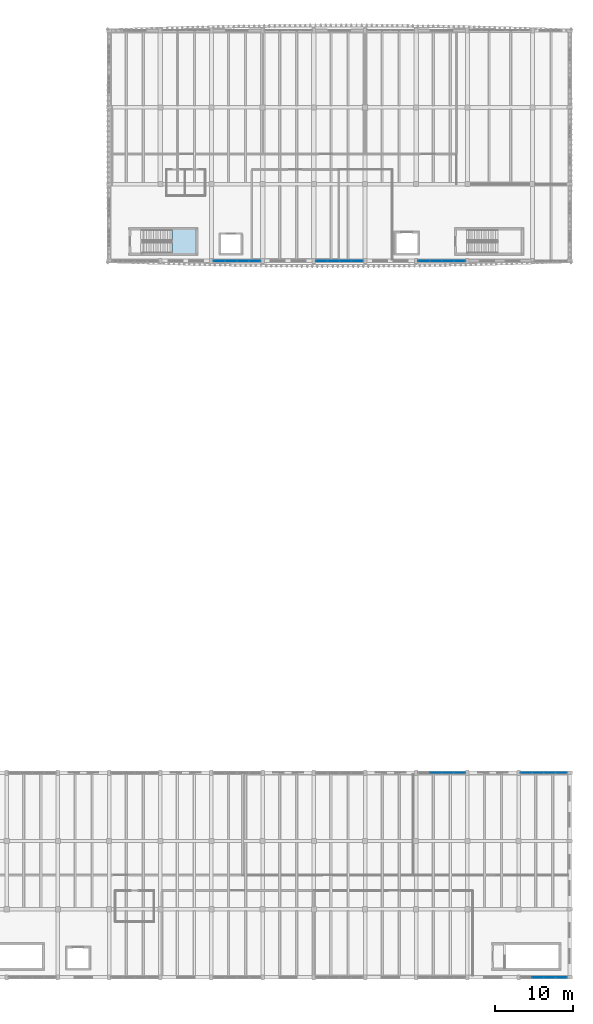
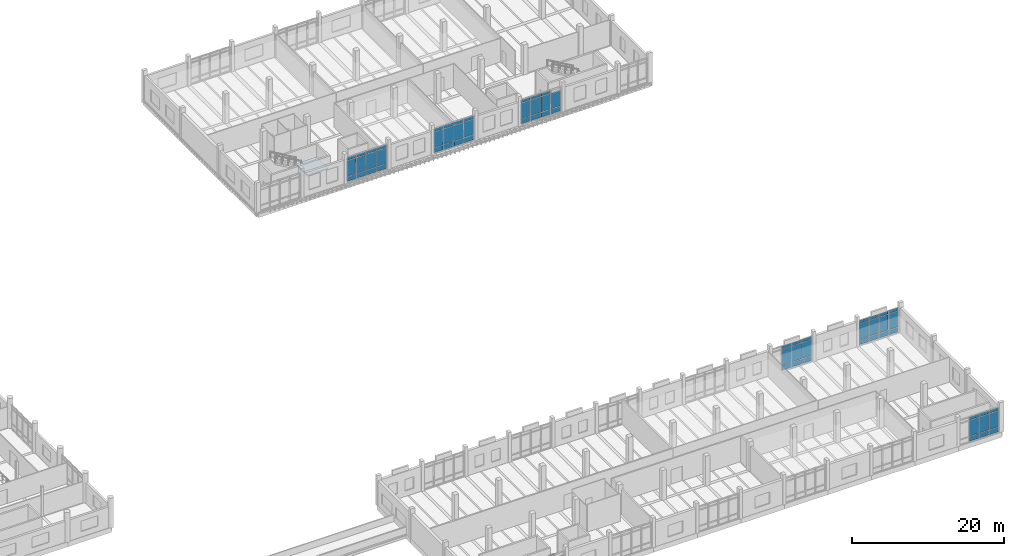
# One storey, part 39 of 76: 65 plates, 1 slab, 7 elements without a shape of their own.
"""IFC4 building model written with IfcOpenShell, lengths in metres."""

import ifcopenshell
import ifcopenshell.guid

model = None  # the IFC model being written
_history = None  # IfcOwnerHistory: only IFC2X3 demands one
_inside = {}  # id of a spatial element -> (the spatial element, [elements in it])
_under = {}  # id of a project, library or spatial element -> (it, [spatial elements below it])
_declared = {}  # id of a project -> (the project, [libraries it declares])
_typed = {}  # id of a type object -> (the type object, [elements of that type])
_made_of = {}  # id of a material, layer set ... -> (it, [elements and type objects made of it])


def new_model(schema):
    """Start an empty IFC model of exactly this schema.

    Asked for "IFC4X3", IfcOpenShell would pick the latest addendum, in which some entities
    have other attributes; the version numbers below select the first issue.
    IFC2X3 requires an IfcOwnerHistory on every rooted entity: one is made here for all.
    """
    global model, _history
    if schema == "IFC4X3":
        model = ifcopenshell.file(schema_version=(4, 3, 0, 0))
    else:
        model = ifcopenshell.file(schema=schema)
    _inside.clear()
    _under.clear()
    _declared.clear()
    _typed.clear()
    _made_of.clear()
    _history = None
    if model.schema == "IFC2X3":
        org = make("IfcOrganization", Name="unknown")
        user = make(
            "IfcPersonAndOrganization",
            ThePerson=make("IfcPerson", FamilyName="unknown"),
            TheOrganization=org,
        )
        app = make(
            "IfcApplication",
            ApplicationDeveloper=org,
            Version="unknown",
            ApplicationFullName="unknown",
            ApplicationIdentifier="unknown",
        )
        _history = make(
            "IfcOwnerHistory",
            OwningUser=user,
            OwningApplication=app,
            ChangeAction="ADDED",
            CreationDate=0,
        )
    return model


def make(cls, **values):
    """One entity of the class cls with the attributes given. An attribute that is None is left unset."""
    return model.create_entity(
        cls, **{name: value for name, value in values.items() if value is not None}
    )


def rooted(cls, **values):
    """An entity with a GlobalId (a new one), such as an element, a storey or a relation."""
    return make(cls, GlobalId=ifcopenshell.guid.new(), OwnerHistory=_history, **values)


def si_unit(unit_type, name, prefix=None):
    """IfcSIUnit, for example si_unit("LENGTHUNIT", "METRE", prefix="MILLI")."""
    return make("IfcSIUnit", UnitType=unit_type, Prefix=prefix, Name=name)


def assignment(units):
    """IfcUnitAssignment: the units of a project."""
    return None if units is None else make("IfcUnitAssignment", Units=units)


def point(xyz):
    """IfcCartesianPoint."""
    return None if xyz is None else make("IfcCartesianPoint", Coordinates=xyz)


def direction(xyz):
    """IfcDirection."""
    return None if xyz is None else make("IfcDirection", DirectionRatios=xyz)


def frame(location, z_axis=None, x_axis=None):
    """IfcAxis2Placement3D, a coordinate frame: its origin and axes. An axis left out is left unset."""
    return make(
        "IfcAxis2Placement3D",
        Location=point(location),
        Axis=direction(z_axis),
        RefDirection=direction(x_axis),
    )


def frame_2d(location, x_axis=None):
    """IfcAxis2Placement2D, a coordinate frame in the plane: its origin and x axis."""
    return make(
        "IfcAxis2Placement2D", Location=point(location), RefDirection=direction(x_axis)
    )


def origin():
    """The frame at (0, 0, 0) with its axes left unset."""
    return frame((0.0, 0.0, 0.0))


def origin_2d():
    """The frame at (0, 0) in the plane with its x axis left unset."""
    return frame_2d((0.0, 0.0))


def place(relative_to, where):
    """IfcLocalPlacement: puts the frame where relative to a parent placement (None: the world)."""
    return make(
        "IfcLocalPlacement", PlacementRelTo=relative_to, RelativePlacement=where
    )


def context(
    kind, dimensions, precision=None, world=None, true_north=None, identifier=None
):
    """IfcGeometricRepresentationContext, for example the 3D "Model" context."""
    return make(
        "IfcGeometricRepresentationContext",
        ContextIdentifier=identifier,
        ContextType=kind,
        CoordinateSpaceDimension=dimensions,
        Precision=precision,
        WorldCoordinateSystem=world,
        TrueNorth=true_north,
    )


def subcontext(parent, identifier, kind, view, scale=None):
    """IfcGeometricRepresentationSubContext, for example "Body" below "Model"."""
    return make(
        "IfcGeometricRepresentationSubContext",
        ContextIdentifier=identifier,
        ContextType=kind,
        ParentContext=parent,
        TargetScale=scale,
        TargetView=view,
    )


def project(units=None, contexts=None):
    """IfcProject with its units and contexts."""
    return rooted(
        "IfcProject",
        Name="project",
        RepresentationContexts=contexts,
        UnitsInContext=assignment(units),
    )


def spatial(cls, under=None, at=None, **own):
    """A site, building, storey or space (cls), placed at a placement, below another one or the project."""
    s = rooted(cls, ObjectPlacement=at, **own)
    if under is not None:
        _under.setdefault(under.id(), (under, []))[1].append(s)
    return s


def polyline(points):
    """IfcPolyline through the points."""
    return make("IfcPolyline", Points=[point(p) for p in points])


def profile(cls, at=None, kind="AREA", **sizes):
    """A parametric profile (cls). Its sizes go by their IFC names, for example OverallWidth=200.0."""
    return make(cls, ProfileType=kind, Position=at, **sizes)


def rectangle(**sizes):
    """IfcRectangleProfileDef."""
    return profile("IfcRectangleProfileDef", **sizes)


def outline(outer, holes=None, kind="AREA"):
    """IfcArbitraryClosedProfileDef: a profile drawn as a closed curve; with holes, ...WithVoids."""
    if holes is None:
        return make("IfcArbitraryClosedProfileDef", ProfileType=kind, OuterCurve=outer)
    return make(
        "IfcArbitraryProfileDefWithVoids",
        ProfileType=kind,
        OuterCurve=outer,
        InnerCurves=holes,
    )


def extrude(swept, where, along, depth):
    """IfcExtrudedAreaSolid: the profile swept, set in the frame where, extruded along a direction by depth."""
    return make(
        "IfcExtrudedAreaSolid",
        SweptArea=swept,
        Position=where,
        ExtrudedDirection=direction(along),
        Depth=depth,
    )


def shape(context_of_items, identifier, shape_type, items):
    """IfcShapeRepresentation: the items that make up one representation, for example the "Body"."""
    return make(
        "IfcShapeRepresentation",
        ContextOfItems=context_of_items,
        RepresentationIdentifier=identifier,
        RepresentationType=shape_type,
        Items=items,
    )


def material(Name=None, Category=None):
    """IfcMaterial."""
    return make("IfcMaterial", Name=Name, Category=Category)


def layer(
    of_material, thickness, ventilated=None, Name=None, Category=None, Priority=None
):
    """IfcMaterialLayer: one layer of a wall or slab, of a material (None: an air gap)."""
    return make(
        "IfcMaterialLayer",
        Material=of_material,
        LayerThickness=thickness,
        IsVentilated=ventilated,
        Name=Name,
        Category=Category,
        Priority=Priority,
    )


def layer_set(layers, Name=None):
    """IfcMaterialLayerSet."""
    return make("IfcMaterialLayerSet", MaterialLayers=layers, LayerSetName=Name)


def made_of(thing, what):
    """Note that an element or type object is made of a material, layer set ...; save() writes the relation."""
    if what is not None:
        _made_of.setdefault(what.id(), (what, []))[1].append(thing)
    return thing


def type_object(cls, material=None, **own):
    """A type object (cls), such as IfcWallType, which elements share."""
    return made_of(rooted(cls, **own), material)


def element(
    cls,
    number,
    at=None,
    inside=None,
    cuts=None,
    type_object=None,
    material=None,
    context=None,
    identifier="Body",
    shape_type=None,
    held_by="IfcProductDefinitionShape",
    body=None,
    shapes=None,
    **own,
):
    """One element of the class cls, such as IfcWall. Its Tag is "e" and its number.

    at: its placement. inside: the storey or other place that contains it. cuts: it is an
    opening in that element (IfcRelVoidsElement). A single representation is given by context,
    identifier, shape_type and body (its items); several are given by shapes. held_by: the class
    of the entity that holds the representations. save() writes the other relations.
    """
    e = rooted(cls, Tag="e%d" % number, ObjectPlacement=at, **own)
    if body is not None:
        shapes = [shape(context, identifier, shape_type, body)]
    if shapes is not None:
        e.Representation = make(held_by, Representations=shapes)
    if inside is not None:
        _inside.setdefault(inside.id(), (inside, []))[1].append(e)
    if cuts is not None:
        rooted(
            "IfcRelVoidsElement", RelatingBuildingElement=cuts, RelatedOpeningElement=e
        )
    if type_object is not None:
        _typed.setdefault(type_object.id(), (type_object, []))[1].append(e)
    return made_of(e, material)


def aggregate(whole, parts):
    """IfcRelAggregates: a whole, such as a stair, and the parts it consists of."""
    return rooted("IfcRelAggregates", RelatingObject=whole, RelatedObjects=parts)


def save(model, path):
    """Write the relations noted so far, then the file.

    IfcRelAggregates (storeys below a building ...), IfcRelContainedInSpatialStructure (elements
    in a storey), IfcRelDefinesByType, IfcRelAssociatesMaterial and IfcRelDeclares: one each for
    every whole, place, type object, material and project.
    """
    for whole, parts in _under.values():
        aggregate(whole, parts)
    for where, things in _inside.values():
        rooted(
            "IfcRelContainedInSpatialStructure",
            RelatedElements=things,
            RelatingStructure=where,
        )
    for kind, things in _typed.values():
        rooted("IfcRelDefinesByType", RelatedObjects=things, RelatingType=kind)
    for what, things in _made_of.values():
        rooted("IfcRelAssociatesMaterial", RelatedObjects=things, RelatingMaterial=what)
    for by, libraries in _declared.values():
        rooted("IfcRelDeclares", RelatingContext=by, RelatedDefinitions=libraries)
    model.write(path)


model = new_model("IFC4")

# Units and contexts
model_context = context("Model", 3, precision=1e-05, world=origin(), true_north=direction((0.0, 1.0)))
body_context = subcontext(model_context, "Body", "Model", "MODEL_VIEW")
ifc_project = project(units=[si_unit("LENGTHUNIT", "METRE"), si_unit("AREAUNIT", "SQUARE_METRE"), si_unit("VOLUMEUNIT", "CUBIC_METRE"), si_unit("PLANEANGLEUNIT", "RADIAN"), si_unit("MASSUNIT", "GRAM", prefix="KILO")], contexts=[model_context])

# Site, building, storey
site_placement = place(None, origin())
site = spatial("IfcSite", under=ifc_project, at=site_placement, CompositionType="ELEMENT")
building_placement = place(site_placement, origin())
building = spatial("IfcBuilding", under=site, at=building_placement, Name="Dornvale Research Institute", CompositionType="ELEMENT")
storey_placement = place(building_placement, frame((0.0, 0.0, 15.0)))
storey = spatial("IfcBuildingStorey", under=building, at=storey_placement, Name="L03", CompositionType="ELEMENT", Elevation=15.0)

# Curtain wall, plates
ifc_material_1 = material(Name="Low-E Argon Double Insulating Glazing Unit", Category="glass")
curtain_wall_type_1 = type_object("IfcCurtainWallType", Name="UnitisedCurtainWall_V3_6150x4000", PredefinedType="USERDEFINED", material=ifc_material_1)
curtain_wall_1_placement = place(storey_placement, origin())
curtain_wall_1 = element("IfcCurtainWall", 1, at=curtain_wall_1_placement, inside=storey, type_object=curtain_wall_type_1, Name="L03 V3 unitised curtain wall CW-06 #58", ObjectType="UNITISED CURTAIN WALL", PredefinedType="USERDEFINED")
ifc_material_2 = material(Name="Insulated Ceramic-Frit Spandrel Glass Panel", Category="glass")
ifc_layer_1 = layer(ifc_material_2, 0.0419921875)
ifc_layer_set_1 = layer_set([ifc_layer_1], Name="Insulated Ceramic-Frit Spandrel Glass Panel")
plate_type_1 = type_object("IfcPlateType", Name="CurtainPanel_Spandrel_42", PredefinedType="CURTAIN_PANEL", material=ifc_layer_set_1)
plate_1_placement = place(storey_placement, frame((160.93115234375, 26.39990234375, 0.06494140625), z_axis=(0.0, 0.0, 1.0), x_axis=(1.0, 0.0, 0.0)))
plate_1 = element("IfcPlate", 2, at=plate_1_placement, type_object=plate_type_1, Name="CW-06 panel 2.1", PredefinedType="CURTAIN_PANEL", context=body_context, shape_type="SweptSolid", body=[
    extrude(rectangle(XDim=1.472412109375, YDim=0.0419921875, at=origin_2d()), origin(), (0.0, 0.0, 1.0), 0.75244140625),
])
plate_2_placement = place(storey_placement, frame((162.46875, 26.39990234375, 0.06494140625), z_axis=(0.0, 0.0, 1.0), x_axis=(1.0, 0.0, 0.0)))
plate_2 = element("IfcPlate", 3, at=plate_2_placement, type_object=plate_type_1, Name="CW-06 panel 3.1", PredefinedType="CURTAIN_PANEL", context=body_context, shape_type="SweptSolid", body=[
    extrude(rectangle(XDim=1.472412109375, YDim=0.0419921875, at=origin_2d()), origin(), (0.0, 0.0, 1.0), 0.75244140625),
])
plate_3_placement = place(storey_placement, frame((163.989990234375, 26.39990234375, 0.06494140625), z_axis=(0.0, 0.0, 1.0), x_axis=(1.0, 0.0, 0.0)))
plate_3 = element("IfcPlate", 4, at=plate_3_placement, type_object=plate_type_1, Name="CW-06 panel 4.1", PredefinedType="CURTAIN_PANEL", context=body_context, shape_type="SweptSolid", body=[
    extrude(rectangle(XDim=1.43994140625, YDim=0.0419921875, at=origin_2d()), origin(), (0.0, 0.0, 1.0), 0.75244140625),
])

ifc_material_3 = material(Name="Low-E Argon Double Insulating Glazing Unit", Category="glass")
curtain_wall_type_2 = type_object("IfcCurtainWallType", Name="UnitisedCurtainWall_V3_6050x4000", PredefinedType="USERDEFINED", material=ifc_material_3)
curtain_wall_2_placement = place(storey_placement, origin())
curtain_wall_2 = element("IfcCurtainWall", 5, at=curtain_wall_2_placement, inside=storey, type_object=curtain_wall_type_2, Name="L03 V3 unitised curtain wall CW-07 #59", ObjectType="UNITISED CURTAIN WALL", PredefinedType="USERDEFINED")
plate_4_placement = place(storey_placement, frame((172.597412109375, 26.39990234375, 0.06494140625), z_axis=(0.0, 0.0, 1.0), x_axis=(1.0, 0.0, 0.0)))
plate_4 = element("IfcPlate", 6, at=plate_4_placement, type_object=plate_type_1, Name="CW-07 panel 1.1", PredefinedType="CURTAIN_PANEL", context=body_context, shape_type="SweptSolid", body=[
    extrude(rectangle(XDim=1.4150390625, YDim=0.0419921875, at=origin_2d()), origin(), (0.0, 0.0, 1.0), 0.75244140625),
])
plate_5_placement = place(storey_placement, frame((174.09375, 26.39990234375, 0.06494140625), z_axis=(0.0, 0.0, 1.0), x_axis=(1.0, 0.0, 0.0)))
plate_5 = element("IfcPlate", 7, at=plate_5_placement, type_object=plate_type_1, Name="CW-07 panel 2.1", PredefinedType="CURTAIN_PANEL", context=body_context, shape_type="SweptSolid", body=[
    extrude(rectangle(XDim=1.447509765625, YDim=0.0419921875, at=origin_2d()), origin(), (0.0, 0.0, 1.0), 0.75244140625),
])
plate_6_placement = place(storey_placement, frame((175.606201171875, 26.39990234375, 0.06494140625), z_axis=(0.0, 0.0, 1.0), x_axis=(1.0, 0.0, 0.0)))
plate_6 = element("IfcPlate", 8, at=plate_6_placement, type_object=plate_type_1, Name="CW-07 panel 3.1", PredefinedType="CURTAIN_PANEL", context=body_context, shape_type="SweptSolid", body=[
    extrude(rectangle(XDim=1.447509765625, YDim=0.0419921875, at=origin_2d()), origin(), (0.0, 0.0, 1.0), 0.75244140625),
])
plate_7_placement = place(storey_placement, frame((177.1025390625, 26.39990234375, 0.06494140625), z_axis=(0.0, 0.0, 1.0), x_axis=(1.0, 0.0, 0.0)))
plate_7 = element("IfcPlate", 9, at=plate_7_placement, type_object=plate_type_1, Name="CW-07 panel 4.1", PredefinedType="CURTAIN_PANEL", context=body_context, shape_type="SweptSolid", body=[
    extrude(rectangle(XDim=1.4150390625, YDim=0.0419921875, at=origin_2d()), origin(), (0.0, 0.0, 1.0), 0.75244140625),
])

curtain_wall_3_placement = place(storey_placement, origin())
curtain_wall_3 = element("IfcCurtainWall", 10, at=curtain_wall_3_placement, inside=storey, type_object=curtain_wall_type_2, Name="L03 V3 unitised curtain wall CW-07 #60", ObjectType="UNITISED CURTAIN WALL", PredefinedType="USERDEFINED")
plate_8_placement = place(storey_placement, frame((177.1025390625, 0.0, 0.06494140625), z_axis=(0.0, 0.0, 1.0), x_axis=(-1.0, 0.0, 0.0)))
plate_8 = element("IfcPlate", 11, at=plate_8_placement, type_object=plate_type_1, Name="CW-07 panel 1.1", PredefinedType="CURTAIN_PANEL", context=body_context, shape_type="SweptSolid", body=[
    extrude(rectangle(XDim=1.4150390625, YDim=0.0419921875, at=origin_2d()), origin(), (0.0, 0.0, 1.0), 0.75244140625),
])
plate_9_placement = place(storey_placement, frame((175.606201171875, 0.0, 0.06494140625), z_axis=(0.0, 0.0, 1.0), x_axis=(-1.0, 0.0, 0.0)))
plate_9 = element("IfcPlate", 12, at=plate_9_placement, type_object=plate_type_1, Name="CW-07 panel 2.1", PredefinedType="CURTAIN_PANEL", context=body_context, shape_type="SweptSolid", body=[
    extrude(rectangle(XDim=1.447509765625, YDim=0.0419921875, at=origin_2d()), origin(), (0.0, 0.0, 1.0), 0.75244140625),
])
plate_10_placement = place(storey_placement, frame((174.09375, 0.0, 0.06494140625), z_axis=(0.0, 0.0, 1.0), x_axis=(-1.0, 0.0, 0.0)))
plate_10 = element("IfcPlate", 13, at=plate_10_placement, type_object=plate_type_1, Name="CW-07 panel 3.1", PredefinedType="CURTAIN_PANEL", context=body_context, shape_type="SweptSolid", body=[
    extrude(rectangle(XDim=1.447509765625, YDim=0.0419921875, at=origin_2d()), origin(), (0.0, 0.0, 1.0), 0.75244140625),
])

ifc_material_4 = material(Name="Low-E Argon Double Insulating Glazing Unit", Category="glass")
curtain_wall_type_3 = type_object("IfcCurtainWallType", Name="UnitisedCurtainWall_V4_6150x3950", PredefinedType="USERDEFINED", material=ifc_material_4)
curtain_wall_4_placement = place(storey_placement, origin())
curtain_wall_4 = element("IfcCurtainWall", 14, at=curtain_wall_4_placement, inside=storey, type_object=curtain_wall_type_3, Name="L03 V4 unitised curtain wall CW-15 #96", ObjectType="UNITISED CURTAIN WALL", PredefinedType="USERDEFINED")
plate_11_placement = place(storey_placement, frame((163.989990234375, 92.39990234375, 0.06494140625), z_axis=(0.0, 0.0, 1.0), x_axis=(-1.0, 0.0, 0.0)))
plate_11 = element("IfcPlate", 15, at=plate_11_placement, type_object=plate_type_1, Name="CW-15 panel 1.1", PredefinedType="CURTAIN_PANEL", context=body_context, shape_type="SweptSolid", body=[
    extrude(rectangle(XDim=1.43994140625, YDim=0.0419921875, at=origin_2d()), origin(), (0.0, 0.0, 1.0), 0.75244140625),
])
plate_12_placement = place(storey_placement, frame((162.46875, 92.39990234375, 0.06494140625), z_axis=(0.0, 0.0, 1.0), x_axis=(-1.0, 0.0, 0.0)))
plate_12 = element("IfcPlate", 16, at=plate_12_placement, type_object=plate_type_1, Name="CW-15 panel 2.1", PredefinedType="CURTAIN_PANEL", context=body_context, shape_type="SweptSolid", body=[
    extrude(rectangle(XDim=1.472412109375, YDim=0.0419921875, at=origin_2d()), origin(), (0.0, 0.0, 1.0), 0.75244140625),
])
plate_13_placement = place(storey_placement, frame((160.93115234375, 92.39990234375, 0.06494140625), z_axis=(0.0, 0.0, 1.0), x_axis=(-1.0, 0.0, 0.0)))
plate_13 = element("IfcPlate", 17, at=plate_13_placement, type_object=plate_type_1, Name="CW-15 panel 3.1", PredefinedType="CURTAIN_PANEL", context=body_context, shape_type="SweptSolid", body=[
    extrude(rectangle(XDim=1.472412109375, YDim=0.0419921875, at=origin_2d()), origin(), (0.0, 0.0, 1.0), 0.75244140625),
])
plate_14_placement = place(storey_placement, frame((159.409912109375, 92.39990234375, 0.06494140625), z_axis=(0.0, 0.0, 1.0), x_axis=(-1.0, 0.0, 0.0)))
plate_14 = element("IfcPlate", 18, at=plate_14_placement, type_object=plate_type_1, Name="CW-15 panel 4.1", PredefinedType="CURTAIN_PANEL", context=body_context, shape_type="SweptSolid", body=[
    extrude(rectangle(XDim=1.43994140625, YDim=0.0419921875, at=origin_2d()), origin(), (0.0, 0.0, 1.0), 0.75244140625),
])

curtain_wall_5_placement = place(storey_placement, origin())
curtain_wall_5 = element("IfcCurtainWall", 19, at=curtain_wall_5_placement, inside=storey, type_object=curtain_wall_type_3, Name="L03 V4 unitised curtain wall CW-15 #97", ObjectType="UNITISED CURTAIN WALL", PredefinedType="USERDEFINED")
plate_15_placement = place(storey_placement, frame((150.7900390625, 92.39990234375, 0.06494140625), z_axis=(0.0, 0.0, 1.0), x_axis=(-1.0, 0.0, 0.0)))
plate_15 = element("IfcPlate", 20, at=plate_15_placement, type_object=plate_type_1, Name="CW-15 panel 1.1", PredefinedType="CURTAIN_PANEL", context=body_context, shape_type="SweptSolid", body=[
    extrude(rectangle(XDim=1.43994140625, YDim=0.0419921875, at=origin_2d()), origin(), (0.0, 0.0, 1.0), 0.75244140625),
])
plate_16_placement = place(storey_placement, frame((149.268798828125, 92.39990234375, 0.06494140625), z_axis=(0.0, 0.0, 1.0), x_axis=(-1.0, 0.0, 0.0)))
plate_16 = element("IfcPlate", 21, at=plate_16_placement, type_object=plate_type_1, Name="CW-15 panel 2.1", PredefinedType="CURTAIN_PANEL", context=body_context, shape_type="SweptSolid", body=[
    extrude(rectangle(XDim=1.472412109375, YDim=0.0419921875, at=origin_2d()), origin(), (0.0, 0.0, 1.0), 0.75244140625),
])
plate_17_placement = place(storey_placement, frame((147.731201171875, 92.39990234375, 0.06494140625), z_axis=(0.0, 0.0, 1.0), x_axis=(-1.0, 0.0, 0.0)))
plate_17 = element("IfcPlate", 22, at=plate_17_placement, type_object=plate_type_1, Name="CW-15 panel 3.1", PredefinedType="CURTAIN_PANEL", context=body_context, shape_type="SweptSolid", body=[
    extrude(rectangle(XDim=1.472412109375, YDim=0.0419921875, at=origin_2d()), origin(), (0.0, 0.0, 1.0), 0.75244140625),
])
plate_18_placement = place(storey_placement, frame((146.2099609375, 92.39990234375, 0.06494140625), z_axis=(0.0, 0.0, 1.0), x_axis=(-1.0, 0.0, 0.0)))
plate_18 = element("IfcPlate", 23, at=plate_18_placement, type_object=plate_type_1, Name="CW-15 panel 4.1", PredefinedType="CURTAIN_PANEL", context=body_context, shape_type="SweptSolid", body=[
    extrude(rectangle(XDim=1.43994140625, YDim=0.0419921875, at=origin_2d()), origin(), (0.0, 0.0, 1.0), 0.75244140625),
])

curtain_wall_6_placement = place(storey_placement, origin())
curtain_wall_6 = element("IfcCurtainWall", 24, at=curtain_wall_6_placement, inside=storey, type_object=curtain_wall_type_3, Name="L03 V4 unitised curtain wall CW-15 #98", ObjectType="UNITISED CURTAIN WALL", PredefinedType="USERDEFINED")
plate_19_placement = place(storey_placement, frame((137.590087890625, 92.39990234375, 0.06494140625), z_axis=(0.0, 0.0, 1.0), x_axis=(-1.0, 0.0, 0.0)))
plate_19 = element("IfcPlate", 25, at=plate_19_placement, type_object=plate_type_1, Name="CW-15 panel 1.1", PredefinedType="CURTAIN_PANEL", context=body_context, shape_type="SweptSolid", body=[
    extrude(rectangle(XDim=1.43994140625, YDim=0.0419921875, at=origin_2d()), origin(), (0.0, 0.0, 1.0), 0.75244140625),
])
plate_20_placement = place(storey_placement, frame((136.06884765625, 92.39990234375, 0.06494140625), z_axis=(0.0, 0.0, 1.0), x_axis=(-1.0, 0.0, 0.0)))
plate_20 = element("IfcPlate", 26, at=plate_20_placement, type_object=plate_type_1, Name="CW-15 panel 2.1", PredefinedType="CURTAIN_PANEL", context=body_context, shape_type="SweptSolid", body=[
    extrude(rectangle(XDim=1.472412109375, YDim=0.0419921875, at=origin_2d()), origin(), (0.0, 0.0, 1.0), 0.75244140625),
])
plate_21_placement = place(storey_placement, frame((134.53125, 92.39990234375, 0.06494140625), z_axis=(0.0, 0.0, 1.0), x_axis=(-1.0, 0.0, 0.0)))
plate_21 = element("IfcPlate", 27, at=plate_21_placement, type_object=plate_type_1, Name="CW-15 panel 3.1", PredefinedType="CURTAIN_PANEL", context=body_context, shape_type="SweptSolid", body=[
    extrude(rectangle(XDim=1.472412109375, YDim=0.0419921875, at=origin_2d()), origin(), (0.0, 0.0, 1.0), 0.75244140625),
])
plate_22_placement = place(storey_placement, frame((133.010009765625, 92.39990234375, 0.06494140625), z_axis=(0.0, 0.0, 1.0), x_axis=(-1.0, 0.0, 0.0)))
plate_22 = element("IfcPlate", 28, at=plate_22_placement, type_object=plate_type_1, Name="CW-15 panel 4.1", PredefinedType="CURTAIN_PANEL", context=body_context, shape_type="SweptSolid", body=[
    extrude(rectangle(XDim=1.43994140625, YDim=0.0419921875, at=origin_2d()), origin(), (0.0, 0.0, 1.0), 0.75244140625),
])

# Plate
ifc_material_5 = material(Name="Low-E Argon Double Insulating Glazing Unit", Category="glass")
ifc_layer_2 = layer(ifc_material_5, 0.028076171875)
ifc_layer_set_2 = layer_set([ifc_layer_2], Name="Low-E Argon Double Insulating Glazing Unit")
plate_type_2 = type_object("IfcPlateType", Name="CurtainPanel_Vision_28", PredefinedType="CURTAIN_PANEL", material=ifc_layer_set_2)
plate_23_placement = place(storey_placement, frame((160.93115234375, 26.39990234375, 0.88232421875), z_axis=(0.0, 0.0, 1.0), x_axis=(1.0, 0.0, 0.0)))
plate_23 = element("IfcPlate", 29, at=plate_23_placement, type_object=plate_type_2, Name="CW-06 panel 2.2", PredefinedType="CURTAIN_PANEL", context=body_context, shape_type="SweptSolid", body=[
    extrude(rectangle(XDim=1.472412109375, YDim=0.028076171875, at=origin_2d()), origin(), (0.0, 0.0, 1.0), 2.534912109375),
])

plate_24_placement = place(storey_placement, frame((160.93115234375, 26.39990234375, 3.482421875), z_axis=(0.0, 0.0, 1.0), x_axis=(1.0, 0.0, 0.0)))
plate_24 = element("IfcPlate", 30, at=plate_24_placement, type_object=plate_type_2, Name="CW-06 panel 2.3", PredefinedType="CURTAIN_PANEL", context=body_context, shape_type="SweptSolid", body=[
    extrude(rectangle(XDim=1.472412109375, YDim=0.028076171875, at=origin_2d()), origin(), (0.0, 0.0, 1.0), 0.452392578125),
])

plate_25_placement = place(storey_placement, frame((162.46875, 26.39990234375, 0.88232421875), z_axis=(0.0, 0.0, 1.0), x_axis=(1.0, 0.0, 0.0)))
plate_25 = element("IfcPlate", 31, at=plate_25_placement, type_object=plate_type_2, Name="CW-06 panel 3.2", PredefinedType="CURTAIN_PANEL", context=body_context, shape_type="SweptSolid", body=[
    extrude(rectangle(XDim=1.472412109375, YDim=0.028076171875, at=origin_2d()), origin(), (0.0, 0.0, 1.0), 2.534912109375),
])

plate_26_placement = place(storey_placement, frame((162.46875, 26.39990234375, 3.482421875), z_axis=(0.0, 0.0, 1.0), x_axis=(1.0, 0.0, 0.0)))
plate_26 = element("IfcPlate", 32, at=plate_26_placement, type_object=plate_type_2, Name="CW-06 panel 3.3", PredefinedType="CURTAIN_PANEL", context=body_context, shape_type="SweptSolid", body=[
    extrude(rectangle(XDim=1.472412109375, YDim=0.028076171875, at=origin_2d()), origin(), (0.0, 0.0, 1.0), 0.452392578125),
])

plate_27_placement = place(storey_placement, frame((163.989990234375, 26.39990234375, 0.88232421875), z_axis=(0.0, 0.0, 1.0), x_axis=(1.0, 0.0, 0.0)))
plate_27 = element("IfcPlate", 33, at=plate_27_placement, type_object=plate_type_2, Name="CW-06 panel 4.2", PredefinedType="CURTAIN_PANEL", context=body_context, shape_type="SweptSolid", body=[
    extrude(rectangle(XDim=1.43994140625, YDim=0.028076171875, at=origin_2d()), origin(), (0.0, 0.0, 1.0), 2.534912109375),
])

plate_28_placement = place(storey_placement, frame((163.989990234375, 26.39990234375, 3.482421875), z_axis=(0.0, 0.0, 1.0), x_axis=(1.0, 0.0, 0.0)))
plate_28 = element("IfcPlate", 34, at=plate_28_placement, type_object=plate_type_2, Name="CW-06 panel 4.3", PredefinedType="CURTAIN_PANEL", context=body_context, shape_type="SweptSolid", body=[
    extrude(rectangle(XDim=1.43994140625, YDim=0.028076171875, at=origin_2d()), origin(), (0.0, 0.0, 1.0), 0.452392578125),
])

aggregate(curtain_wall_1, [plate_1, plate_23, plate_24, plate_2, plate_25, plate_26, plate_3, plate_27, plate_28])

plate_29_placement = place(storey_placement, frame((172.597412109375, 26.39990234375, 0.88232421875), z_axis=(0.0, 0.0, 1.0), x_axis=(1.0, 0.0, 0.0)))
plate_29 = element("IfcPlate", 35, at=plate_29_placement, type_object=plate_type_2, Name="CW-07 panel 1.2", PredefinedType="CURTAIN_PANEL", context=body_context, shape_type="SweptSolid", body=[
    extrude(rectangle(XDim=1.4150390625, YDim=0.028076171875, at=origin_2d()), origin(), (0.0, 0.0, 1.0), 2.534912109375),
])

plate_30_placement = place(storey_placement, frame((172.597412109375, 26.39990234375, 3.482421875), z_axis=(0.0, 0.0, 1.0), x_axis=(1.0, 0.0, 0.0)))
plate_30 = element("IfcPlate", 36, at=plate_30_placement, type_object=plate_type_2, Name="CW-07 panel 1.3", PredefinedType="CURTAIN_PANEL", context=body_context, shape_type="SweptSolid", body=[
    extrude(rectangle(XDim=1.4150390625, YDim=0.028076171875, at=origin_2d()), origin(), (0.0, 0.0, 1.0), 0.452392578125),
])

plate_31_placement = place(storey_placement, frame((174.09375, 26.39990234375, 0.88232421875), z_axis=(0.0, 0.0, 1.0), x_axis=(1.0, 0.0, 0.0)))
plate_31 = element("IfcPlate", 37, at=plate_31_placement, type_object=plate_type_2, Name="CW-07 panel 2.2", PredefinedType="CURTAIN_PANEL", context=body_context, shape_type="SweptSolid", body=[
    extrude(rectangle(XDim=1.447509765625, YDim=0.028076171875, at=origin_2d()), origin(), (0.0, 0.0, 1.0), 2.534912109375),
])

plate_32_placement = place(storey_placement, frame((174.09375, 26.39990234375, 3.482421875), z_axis=(0.0, 0.0, 1.0), x_axis=(1.0, 0.0, 0.0)))
plate_32 = element("IfcPlate", 38, at=plate_32_placement, type_object=plate_type_2, Name="CW-07 panel 2.3", PredefinedType="CURTAIN_PANEL", context=body_context, shape_type="SweptSolid", body=[
    extrude(rectangle(XDim=1.447509765625, YDim=0.028076171875, at=origin_2d()), origin(), (0.0, 0.0, 1.0), 0.452392578125),
])

plate_33_placement = place(storey_placement, frame((175.606201171875, 26.39990234375, 0.88232421875), z_axis=(0.0, 0.0, 1.0), x_axis=(1.0, 0.0, 0.0)))
plate_33 = element("IfcPlate", 39, at=plate_33_placement, type_object=plate_type_2, Name="CW-07 panel 3.2", PredefinedType="CURTAIN_PANEL", context=body_context, shape_type="SweptSolid", body=[
    extrude(rectangle(XDim=1.447509765625, YDim=0.028076171875, at=origin_2d()), origin(), (0.0, 0.0, 1.0), 2.534912109375),
])

plate_34_placement = place(storey_placement, frame((175.606201171875, 26.39990234375, 3.482421875), z_axis=(0.0, 0.0, 1.0), x_axis=(1.0, 0.0, 0.0)))
plate_34 = element("IfcPlate", 40, at=plate_34_placement, type_object=plate_type_2, Name="CW-07 panel 3.3", PredefinedType="CURTAIN_PANEL", context=body_context, shape_type="SweptSolid", body=[
    extrude(rectangle(XDim=1.447509765625, YDim=0.028076171875, at=origin_2d()), origin(), (0.0, 0.0, 1.0), 0.452392578125),
])

plate_35_placement = place(storey_placement, frame((177.1025390625, 26.39990234375, 0.88232421875), z_axis=(0.0, 0.0, 1.0), x_axis=(1.0, 0.0, 0.0)))
plate_35 = element("IfcPlate", 41, at=plate_35_placement, type_object=plate_type_2, Name="CW-07 panel 4.2", PredefinedType="CURTAIN_PANEL", context=body_context, shape_type="SweptSolid", body=[
    extrude(rectangle(XDim=1.4150390625, YDim=0.028076171875, at=origin_2d()), origin(), (0.0, 0.0, 1.0), 2.534912109375),
])

plate_36_placement = place(storey_placement, frame((177.1025390625, 26.39990234375, 3.482421875), z_axis=(0.0, 0.0, 1.0), x_axis=(1.0, 0.0, 0.0)))
plate_36 = element("IfcPlate", 42, at=plate_36_placement, type_object=plate_type_2, Name="CW-07 panel 4.3", PredefinedType="CURTAIN_PANEL", context=body_context, shape_type="SweptSolid", body=[
    extrude(rectangle(XDim=1.4150390625, YDim=0.028076171875, at=origin_2d()), origin(), (0.0, 0.0, 1.0), 0.452392578125),
])

aggregate(curtain_wall_2, [plate_4, plate_29, plate_30, plate_5, plate_31, plate_32, plate_6, plate_33, plate_34, plate_7, plate_35, plate_36])

plate_37_placement = place(storey_placement, frame((177.1025390625, 0.0, 0.88232421875), z_axis=(0.0, 0.0, 1.0), x_axis=(-1.0, 0.0, 0.0)))
plate_37 = element("IfcPlate", 43, at=plate_37_placement, type_object=plate_type_2, Name="CW-07 panel 1.2", PredefinedType="CURTAIN_PANEL", context=body_context, shape_type="SweptSolid", body=[
    extrude(rectangle(XDim=1.4150390625, YDim=0.028076171875, at=origin_2d()), origin(), (0.0, 0.0, 1.0), 2.534912109375),
])

plate_38_placement = place(storey_placement, frame((177.1025390625, 0.0, 3.482421875), z_axis=(0.0, 0.0, 1.0), x_axis=(-1.0, 0.0, 0.0)))
plate_38 = element("IfcPlate", 44, at=plate_38_placement, type_object=plate_type_2, Name="CW-07 panel 1.3", PredefinedType="CURTAIN_PANEL", context=body_context, shape_type="SweptSolid", body=[
    extrude(rectangle(XDim=1.4150390625, YDim=0.028076171875, at=origin_2d()), origin(), (0.0, 0.0, 1.0), 0.452392578125),
])

plate_39_placement = place(storey_placement, frame((175.606201171875, 0.0, 0.88232421875), z_axis=(0.0, 0.0, 1.0), x_axis=(-1.0, 0.0, 0.0)))
plate_39 = element("IfcPlate", 45, at=plate_39_placement, type_object=plate_type_2, Name="CW-07 panel 2.2", PredefinedType="CURTAIN_PANEL", context=body_context, shape_type="SweptSolid", body=[
    extrude(rectangle(XDim=1.447509765625, YDim=0.028076171875, at=origin_2d()), origin(), (0.0, 0.0, 1.0), 2.534912109375),
])

plate_40_placement = place(storey_placement, frame((175.606201171875, 0.0, 3.482421875), z_axis=(0.0, 0.0, 1.0), x_axis=(-1.0, 0.0, 0.0)))
plate_40 = element("IfcPlate", 46, at=plate_40_placement, type_object=plate_type_2, Name="CW-07 panel 2.3", PredefinedType="CURTAIN_PANEL", context=body_context, shape_type="SweptSolid", body=[
    extrude(rectangle(XDim=1.447509765625, YDim=0.028076171875, at=origin_2d()), origin(), (0.0, 0.0, 1.0), 0.452392578125),
])

plate_41_placement = place(storey_placement, frame((174.09375, 0.0, 0.88232421875), z_axis=(0.0, 0.0, 1.0), x_axis=(-1.0, 0.0, 0.0)))
plate_41 = element("IfcPlate", 47, at=plate_41_placement, type_object=plate_type_2, Name="CW-07 panel 3.2", PredefinedType="CURTAIN_PANEL", context=body_context, shape_type="SweptSolid", body=[
    extrude(rectangle(XDim=1.447509765625, YDim=0.028076171875, at=origin_2d()), origin(), (0.0, 0.0, 1.0), 2.534912109375),
])

plate_42_placement = place(storey_placement, frame((174.09375, 0.0, 3.482421875), z_axis=(0.0, 0.0, 1.0), x_axis=(-1.0, 0.0, 0.0)))
plate_42 = element("IfcPlate", 48, at=plate_42_placement, type_object=plate_type_2, Name="CW-07 panel 3.3", PredefinedType="CURTAIN_PANEL", context=body_context, shape_type="SweptSolid", body=[
    extrude(rectangle(XDim=1.447509765625, YDim=0.028076171875, at=origin_2d()), origin(), (0.0, 0.0, 1.0), 0.452392578125),
])

aggregate(curtain_wall_3, [plate_8, plate_37, plate_38, plate_9, plate_39, plate_40, plate_10, plate_41, plate_42])

plate_43_placement = place(storey_placement, frame((163.989990234375, 92.39990234375, 0.88232421875), z_axis=(0.0, 0.0, 1.0), x_axis=(-1.0, 0.0, 0.0)))
plate_43 = element("IfcPlate", 49, at=plate_43_placement, type_object=plate_type_2, Name="CW-15 panel 1.2", PredefinedType="CURTAIN_PANEL", context=body_context, shape_type="SweptSolid", body=[
    extrude(rectangle(XDim=1.43994140625, YDim=0.028076171875, at=origin_2d()), origin(), (0.0, 0.0, 1.0), 2.485107421875),
])

plate_44_placement = place(storey_placement, frame((162.46875, 92.39990234375, 0.88232421875), z_axis=(0.0, 0.0, 1.0), x_axis=(-1.0, 0.0, 0.0)))
plate_44 = element("IfcPlate", 50, at=plate_44_placement, type_object=plate_type_2, Name="CW-15 panel 2.2", PredefinedType="CURTAIN_PANEL", context=body_context, shape_type="SweptSolid", body=[
    extrude(rectangle(XDim=1.472412109375, YDim=0.028076171875, at=origin_2d()), origin(), (0.0, 0.0, 1.0), 2.485107421875),
])

plate_45_placement = place(storey_placement, frame((162.46875, 92.39990234375, 3.4326171875), z_axis=(0.0, 0.0, 1.0), x_axis=(-1.0, 0.0, 0.0)))
plate_45 = element("IfcPlate", 51, at=plate_45_placement, type_object=plate_type_2, Name="CW-15 panel 2.3", PredefinedType="CURTAIN_PANEL", context=body_context, shape_type="SweptSolid", body=[
    extrude(rectangle(XDim=1.472412109375, YDim=0.028076171875, at=origin_2d()), origin(), (0.0, 0.0, 1.0), 0.452392578125),
])

plate_46_placement = place(storey_placement, frame((160.93115234375, 92.39990234375, 0.88232421875), z_axis=(0.0, 0.0, 1.0), x_axis=(-1.0, 0.0, 0.0)))
plate_46 = element("IfcPlate", 52, at=plate_46_placement, type_object=plate_type_2, Name="CW-15 panel 3.2", PredefinedType="CURTAIN_PANEL", context=body_context, shape_type="SweptSolid", body=[
    extrude(rectangle(XDim=1.472412109375, YDim=0.028076171875, at=origin_2d()), origin(), (0.0, 0.0, 1.0), 2.485107421875),
])

plate_47_placement = place(storey_placement, frame((160.93115234375, 92.39990234375, 3.4326171875), z_axis=(0.0, 0.0, 1.0), x_axis=(-1.0, 0.0, 0.0)))
plate_47 = element("IfcPlate", 53, at=plate_47_placement, type_object=plate_type_2, Name="CW-15 panel 3.3", PredefinedType="CURTAIN_PANEL", context=body_context, shape_type="SweptSolid", body=[
    extrude(rectangle(XDim=1.472412109375, YDim=0.028076171875, at=origin_2d()), origin(), (0.0, 0.0, 1.0), 0.452392578125),
])

plate_48_placement = place(storey_placement, frame((159.409912109375, 92.39990234375, 0.88232421875), z_axis=(0.0, 0.0, 1.0), x_axis=(-1.0, 0.0, 0.0)))
plate_48 = element("IfcPlate", 54, at=plate_48_placement, type_object=plate_type_2, Name="CW-15 panel 4.2", PredefinedType="CURTAIN_PANEL", context=body_context, shape_type="SweptSolid", body=[
    extrude(rectangle(XDim=1.43994140625, YDim=0.028076171875, at=origin_2d()), origin(), (0.0, 0.0, 1.0), 2.485107421875),
])

plate_49_placement = place(storey_placement, frame((159.409912109375, 92.39990234375, 3.4326171875), z_axis=(0.0, 0.0, 1.0), x_axis=(-1.0, 0.0, 0.0)))
plate_49 = element("IfcPlate", 55, at=plate_49_placement, type_object=plate_type_2, Name="CW-15 panel 4.3", PredefinedType="CURTAIN_PANEL", context=body_context, shape_type="SweptSolid", body=[
    extrude(rectangle(XDim=1.43994140625, YDim=0.028076171875, at=origin_2d()), origin(), (0.0, 0.0, 1.0), 0.452392578125),
])

aggregate(curtain_wall_4, [plate_11, plate_43, plate_12, plate_44, plate_45, plate_13, plate_46, plate_47, plate_14, plate_48, plate_49])

plate_50_placement = place(storey_placement, frame((150.7900390625, 92.39990234375, 0.88232421875), z_axis=(0.0, 0.0, 1.0), x_axis=(-1.0, 0.0, 0.0)))
plate_50 = element("IfcPlate", 56, at=plate_50_placement, type_object=plate_type_2, Name="CW-15 panel 1.2", PredefinedType="CURTAIN_PANEL", context=body_context, shape_type="SweptSolid", body=[
    extrude(rectangle(XDim=1.43994140625, YDim=0.028076171875, at=origin_2d()), origin(), (0.0, 0.0, 1.0), 2.485107421875),
])

plate_51_placement = place(storey_placement, frame((150.7900390625, 92.39990234375, 3.4326171875), z_axis=(0.0, 0.0, 1.0), x_axis=(-1.0, 0.0, 0.0)))
plate_51 = element("IfcPlate", 57, at=plate_51_placement, type_object=plate_type_2, Name="CW-15 panel 1.3", PredefinedType="CURTAIN_PANEL", context=body_context, shape_type="SweptSolid", body=[
    extrude(rectangle(XDim=1.43994140625, YDim=0.028076171875, at=origin_2d()), origin(), (0.0, 0.0, 1.0), 0.452392578125),
])

plate_52_placement = place(storey_placement, frame((149.268798828125, 92.39990234375, 0.88232421875), z_axis=(0.0, 0.0, 1.0), x_axis=(-1.0, 0.0, 0.0)))
plate_52 = element("IfcPlate", 58, at=plate_52_placement, type_object=plate_type_2, Name="CW-15 panel 2.2", PredefinedType="CURTAIN_PANEL", context=body_context, shape_type="SweptSolid", body=[
    extrude(rectangle(XDim=1.472412109375, YDim=0.028076171875, at=origin_2d()), origin(), (0.0, 0.0, 1.0), 2.485107421875),
])

plate_53_placement = place(storey_placement, frame((149.268798828125, 92.39990234375, 3.4326171875), z_axis=(0.0, 0.0, 1.0), x_axis=(-1.0, 0.0, 0.0)))
plate_53 = element("IfcPlate", 59, at=plate_53_placement, type_object=plate_type_2, Name="CW-15 panel 2.3", PredefinedType="CURTAIN_PANEL", context=body_context, shape_type="SweptSolid", body=[
    extrude(rectangle(XDim=1.472412109375, YDim=0.028076171875, at=origin_2d()), origin(), (0.0, 0.0, 1.0), 0.452392578125),
])

plate_54_placement = place(storey_placement, frame((147.731201171875, 92.39990234375, 0.88232421875), z_axis=(0.0, 0.0, 1.0), x_axis=(-1.0, 0.0, 0.0)))
plate_54 = element("IfcPlate", 60, at=plate_54_placement, type_object=plate_type_2, Name="CW-15 panel 3.2", PredefinedType="CURTAIN_PANEL", context=body_context, shape_type="SweptSolid", body=[
    extrude(rectangle(XDim=1.472412109375, YDim=0.028076171875, at=origin_2d()), origin(), (0.0, 0.0, 1.0), 2.485107421875),
])

plate_55_placement = place(storey_placement, frame((147.731201171875, 92.39990234375, 3.4326171875), z_axis=(0.0, 0.0, 1.0), x_axis=(-1.0, 0.0, 0.0)))
plate_55 = element("IfcPlate", 61, at=plate_55_placement, type_object=plate_type_2, Name="CW-15 panel 3.3", PredefinedType="CURTAIN_PANEL", context=body_context, shape_type="SweptSolid", body=[
    extrude(rectangle(XDim=1.472412109375, YDim=0.028076171875, at=origin_2d()), origin(), (0.0, 0.0, 1.0), 0.452392578125),
])

plate_56_placement = place(storey_placement, frame((146.2099609375, 92.39990234375, 0.88232421875), z_axis=(0.0, 0.0, 1.0), x_axis=(-1.0, 0.0, 0.0)))
plate_56 = element("IfcPlate", 62, at=plate_56_placement, type_object=plate_type_2, Name="CW-15 panel 4.2", PredefinedType="CURTAIN_PANEL", context=body_context, shape_type="SweptSolid", body=[
    extrude(rectangle(XDim=1.43994140625, YDim=0.028076171875, at=origin_2d()), origin(), (0.0, 0.0, 1.0), 2.485107421875),
])

plate_57_placement = place(storey_placement, frame((146.2099609375, 92.39990234375, 3.4326171875), z_axis=(0.0, 0.0, 1.0), x_axis=(-1.0, 0.0, 0.0)))
plate_57 = element("IfcPlate", 63, at=plate_57_placement, type_object=plate_type_2, Name="CW-15 panel 4.3", PredefinedType="CURTAIN_PANEL", context=body_context, shape_type="SweptSolid", body=[
    extrude(rectangle(XDim=1.43994140625, YDim=0.028076171875, at=origin_2d()), origin(), (0.0, 0.0, 1.0), 0.452392578125),
])

aggregate(curtain_wall_5, [plate_15, plate_50, plate_51, plate_16, plate_52, plate_53, plate_17, plate_54, plate_55, plate_18, plate_56, plate_57])

plate_58_placement = place(storey_placement, frame((137.590087890625, 92.39990234375, 0.88232421875), z_axis=(0.0, 0.0, 1.0), x_axis=(-1.0, 0.0, 0.0)))
plate_58 = element("IfcPlate", 64, at=plate_58_placement, type_object=plate_type_2, Name="CW-15 panel 1.2", PredefinedType="CURTAIN_PANEL", context=body_context, shape_type="SweptSolid", body=[
    extrude(rectangle(XDim=1.43994140625, YDim=0.028076171875, at=origin_2d()), origin(), (0.0, 0.0, 1.0), 2.485107421875),
])

plate_59_placement = place(storey_placement, frame((137.590087890625, 92.39990234375, 3.4326171875), z_axis=(0.0, 0.0, 1.0), x_axis=(-1.0, 0.0, 0.0)))
plate_59 = element("IfcPlate", 65, at=plate_59_placement, type_object=plate_type_2, Name="CW-15 panel 1.3", PredefinedType="CURTAIN_PANEL", context=body_context, shape_type="SweptSolid", body=[
    extrude(rectangle(XDim=1.43994140625, YDim=0.028076171875, at=origin_2d()), origin(), (0.0, 0.0, 1.0), 0.452392578125),
])

plate_60_placement = place(storey_placement, frame((136.06884765625, 92.39990234375, 0.88232421875), z_axis=(0.0, 0.0, 1.0), x_axis=(-1.0, 0.0, 0.0)))
plate_60 = element("IfcPlate", 66, at=plate_60_placement, type_object=plate_type_2, Name="CW-15 panel 2.2", PredefinedType="CURTAIN_PANEL", context=body_context, shape_type="SweptSolid", body=[
    extrude(rectangle(XDim=1.472412109375, YDim=0.028076171875, at=origin_2d()), origin(), (0.0, 0.0, 1.0), 2.485107421875),
])

plate_61_placement = place(storey_placement, frame((136.06884765625, 92.39990234375, 3.4326171875), z_axis=(0.0, 0.0, 1.0), x_axis=(-1.0, 0.0, 0.0)))
plate_61 = element("IfcPlate", 67, at=plate_61_placement, type_object=plate_type_2, Name="CW-15 panel 2.3", PredefinedType="CURTAIN_PANEL", context=body_context, shape_type="SweptSolid", body=[
    extrude(rectangle(XDim=1.472412109375, YDim=0.028076171875, at=origin_2d()), origin(), (0.0, 0.0, 1.0), 0.452392578125),
])

plate_62_placement = place(storey_placement, frame((134.53125, 92.39990234375, 0.88232421875), z_axis=(0.0, 0.0, 1.0), x_axis=(-1.0, 0.0, 0.0)))
plate_62 = element("IfcPlate", 68, at=plate_62_placement, type_object=plate_type_2, Name="CW-15 panel 3.2", PredefinedType="CURTAIN_PANEL", context=body_context, shape_type="SweptSolid", body=[
    extrude(rectangle(XDim=1.472412109375, YDim=0.028076171875, at=origin_2d()), origin(), (0.0, 0.0, 1.0), 2.485107421875),
])

plate_63_placement = place(storey_placement, frame((134.53125, 92.39990234375, 3.4326171875), z_axis=(0.0, 0.0, 1.0), x_axis=(-1.0, 0.0, 0.0)))
plate_63 = element("IfcPlate", 69, at=plate_63_placement, type_object=plate_type_2, Name="CW-15 panel 3.3", PredefinedType="CURTAIN_PANEL", context=body_context, shape_type="SweptSolid", body=[
    extrude(rectangle(XDim=1.472412109375, YDim=0.028076171875, at=origin_2d()), origin(), (0.0, 0.0, 1.0), 0.452392578125),
])

plate_64_placement = place(storey_placement, frame((133.010009765625, 92.39990234375, 0.88232421875), z_axis=(0.0, 0.0, 1.0), x_axis=(-1.0, 0.0, 0.0)))
plate_64 = element("IfcPlate", 70, at=plate_64_placement, type_object=plate_type_2, Name="CW-15 panel 4.2", PredefinedType="CURTAIN_PANEL", context=body_context, shape_type="SweptSolid", body=[
    extrude(rectangle(XDim=1.43994140625, YDim=0.028076171875, at=origin_2d()), origin(), (0.0, 0.0, 1.0), 2.485107421875),
])

plate_65_placement = place(storey_placement, frame((133.010009765625, 92.39990234375, 3.4326171875), z_axis=(0.0, 0.0, 1.0), x_axis=(-1.0, 0.0, 0.0)))
plate_65 = element("IfcPlate", 71, at=plate_65_placement, type_object=plate_type_2, Name="CW-15 panel 4.3", PredefinedType="CURTAIN_PANEL", context=body_context, shape_type="SweptSolid", body=[
    extrude(rectangle(XDim=1.43994140625, YDim=0.028076171875, at=origin_2d()), origin(), (0.0, 0.0, 1.0), 0.452392578125),
])

aggregate(curtain_wall_6, [plate_19, plate_58, plate_59, plate_20, plate_60, plate_61, plate_21, plate_62, plate_63, plate_22, plate_64, plate_65])

# Stair, slab
ifc_material_6 = material(Name="Concrete f'c 45 MPa (C35/45)", Category="concrete")
stair_type = type_object("IfcStairType", Name="HalfTurnStair_RC", PredefinedType="HALF_TURN_STAIR", material=ifc_material_6)
stair_placement = place(storey_placement, origin())
stair = element("IfcStair", 72, at=stair_placement, inside=storey, type_object=stair_type, Name="L03 Exit stair ST-3", PredefinedType="HALF_TURN_STAIR")
ifc_material_7 = material(Name="Concrete f'c 45 MPa (C35/45)", Category="concrete")
ifc_layer_3 = layer(ifc_material_7, 0.199951171875)
ifc_layer_set_3 = layer_set([ifc_layer_3], Name="Concrete f'c 45 MPa (C35/45)")
slab_type = type_object("IfcSlabType", Name="Landing_Stair_200", PredefinedType="LANDING", material=ifc_layer_set_3)
slab_placement = place(storey_placement, frame((0.0, 0.0, 2.199951171875)))
slab = element("IfcSlab", 73, at=slab_placement, type_object=slab_type, Name="ST-3 landing 1", PredefinedType="LANDING", context=body_context, shape_type="SweptSolid", body=[
    extrude(outline(polyline([(126.889892578125, 93.3701171875), (126.889892578125, 96.429931640625), (130.030029296875, 96.429931640625), (130.030029296875, 93.3701171875), (126.889892578125, 93.3701171875)])), origin(), (0.0, 0.0, 1.0), 0.199951171875),
])
aggregate(stair, [slab])

save(model, "model.ifc")
